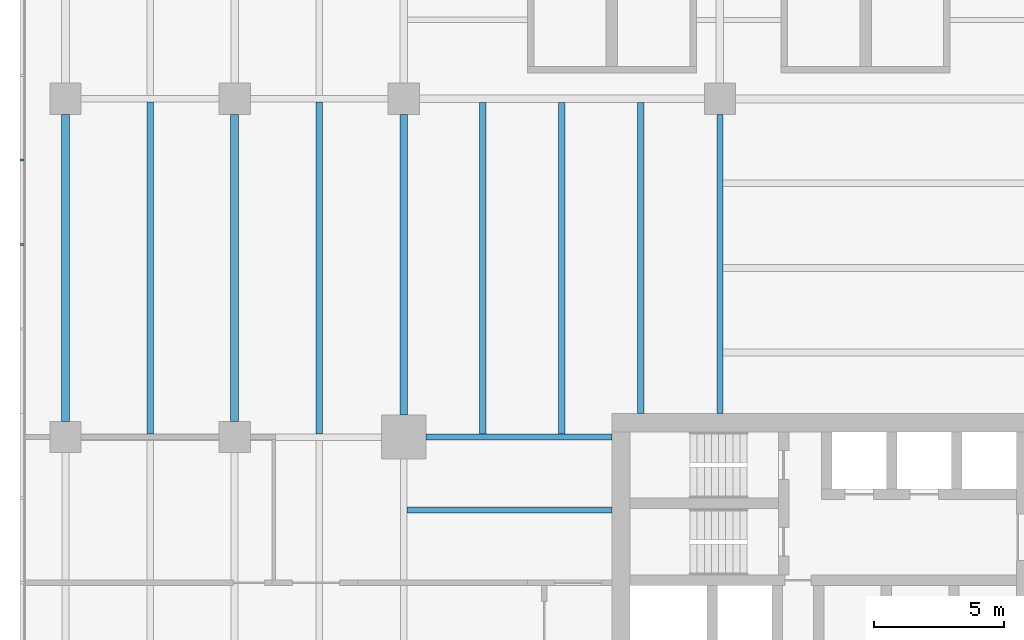
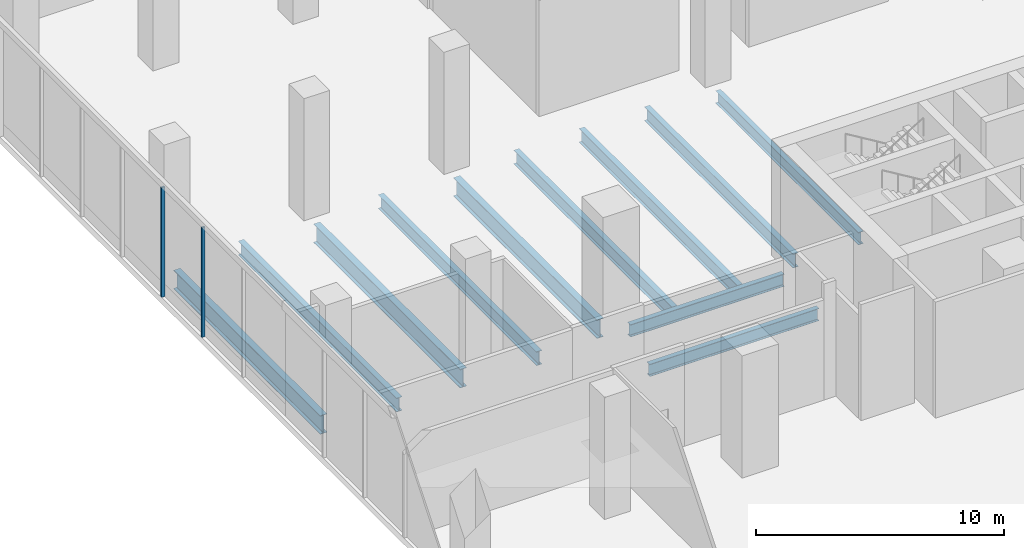
# One storey, part 11 of 41: 11 beams, 2 members, 1 element without a shape of its own.
"""IFC4 building model written with IfcOpenShell, lengths in metres."""

from ifc_helpers import new_model, si_unit, direction, frame, origin, origin_2d, place, context, subcontext, project, spatial, rectangle, i_section, extrude, source, transform, mapped, material, layer, layer_set, material_profile, profile_set, type_object, element, aggregate, save


model = new_model("IFC4")

# Units and contexts
model_context = context("Model", 3, precision=1e-05, world=origin(), true_north=direction((0.0, 1.0)))
body_context = subcontext(model_context, "Body", "Model", "MODEL_VIEW")
ifc_project = project(units=[si_unit("LENGTHUNIT", "METRE"), si_unit("AREAUNIT", "SQUARE_METRE"), si_unit("VOLUMEUNIT", "CUBIC_METRE"), si_unit("PLANEANGLEUNIT", "RADIAN"), si_unit("MASSUNIT", "GRAM", prefix="KILO")], contexts=[model_context])

# Site, building, storey
site_placement = place(None, origin())
site = spatial("IfcSite", under=ifc_project, at=site_placement, CompositionType="ELEMENT")
building_placement = place(site_placement, origin())
building = spatial("IfcBuilding", under=site, at=building_placement, Name="Trellis Farm Tower", CompositionType="ELEMENT")
storey_placement = place(building_placement, frame((0.0, 0.0, 8.0)))
storey = spatial("IfcBuildingStorey", under=building, at=storey_placement, Name="L01", CompositionType="ELEMENT", Elevation=8.0)

# Beams
ifc_material_1 = material(Name="Steel S355", Category="steel")
ifc_material_profile_1 = material_profile(ifc_material_1, i_section(OverallWidth=0.305419921875, OverallDepth=0.91845703125, WebThickness=0.017333984375, FlangeThickness=0.02783203125, FilletRadius=0.01904296875, at=origin_2d()), Name="UB 914x305x253")
ifc_profile_set_1 = profile_set([ifc_material_profile_1], Name="Steel S355")
beam_type_1 = type_object("IfcBeamType", Name="UB 914x305x253", PredefinedType="BEAM", material=ifc_profile_set_1)
shared_shape_1 = source(origin(), body_context, "Body", "SweptSolid", [
    extrude(i_section(OverallWidth=0.305419921875, OverallDepth=0.91845703125, WebThickness=0.017333984375, FlangeThickness=0.02783203125, FilletRadius=0.01904296875, at=origin_2d()), origin(), (0.0, 0.0, 1.0), 11.800048828125),
])
for number, where, z_axis, x_axis, name in (
    (1, (-43.75, 6.199951171875, -0.75927734375), (0.0, 1.0, 0.0), (-1.0, 0.0, 0.0), "Girder"),
    (2, (-37.25, 6.199951171875, -0.75927734375), (0.0, 1.0, 0.0), (-1.0, 0.0, 0.0), "Girder"),
):
    element("IfcBeam", number, at=place(storey_placement, frame(where, z_axis=z_axis, x_axis=x_axis)), inside=storey, type_object=beam_type_1, Name=name, PredefinedType="BEAM", context=body_context, shape_type="MappedRepresentation", body=[
        mapped(shared_shape_1, transform((0.0, 0.0, 0.0))),
    ])
shared_shape_2 = source(origin(), body_context, "Body", "SweptSolid", [
    extrude(i_section(OverallWidth=0.305419921875, OverallDepth=0.91845703125, WebThickness=0.017333984375, FlangeThickness=0.02783203125, FilletRadius=0.01904296875, at=origin_2d()), origin(), (0.0, 0.0, 1.0), 11.550048828125),
])
beam_1_placement = place(storey_placement, frame((-30.75, 6.449951171875, -0.75927734375), z_axis=(0.0, 1.0, 0.0), x_axis=(-1.0, 0.0, 0.0)))
element("IfcBeam", 3, at=beam_1_placement, inside=storey, type_object=beam_type_1, Name="Girder", PredefinedType="BEAM", context=body_context, shape_type="MappedRepresentation", body=[
    mapped(shared_shape_2, transform((0.0, 0.0, 0.0))),
])
ifc_material_profile_2 = material_profile(ifc_material_1, i_section(OverallWidth=0.22900390625, OverallDepth=0.6123046875, WebThickness=0.011962890625, FlangeThickness=0.01953125, FilletRadius=0.0126953125, at=origin_2d()), Name="UB 610x229x125")
ifc_profile_set_2 = profile_set([ifc_material_profile_2], Name="Steel S355")
beam_type_2 = type_object("IfcBeamType", Name="UB 610x229x125", PredefinedType="BEAM", material=ifc_profile_set_2)
shared_shape_3 = source(origin(), body_context, "Body", "SweptSolid", [
    extrude(i_section(OverallWidth=0.22900390625, OverallDepth=0.6123046875, WebThickness=0.011962890625, FlangeThickness=0.01953125, FilletRadius=0.0126953125, at=origin_2d()), origin(), (0.0, 0.0, 1.0), 7.14990234375),
])
beam_2_placement = place(storey_placement, frame((-29.89990234375, 5.60009765625, -0.606201171875), z_axis=(1.0, 0.0, 0.0), x_axis=(0.0, 1.0, 0.0)))
element("IfcBeam", 4, at=beam_2_placement, inside=storey, type_object=beam_type_2, Name="Girder", PredefinedType="BEAM", context=body_context, shape_type="MappedRepresentation", body=[
    mapped(shared_shape_3, transform((0.0, 0.0, 0.0))),
])
shared_shape_4 = source(origin(), body_context, "Body", "SweptSolid", [
    extrude(i_section(OverallWidth=0.22900390625, OverallDepth=0.6123046875, WebThickness=0.011962890625, FlangeThickness=0.01953125, FilletRadius=0.0126953125, at=origin_2d()), origin(), (0.0, 0.0, 1.0), 11.5),
])
beam_3_placement = place(storey_placement, frame((-18.60009765625, 6.5, -0.606201171875), z_axis=(0.0, 1.0, 0.0), x_axis=(-1.0, 0.0, 0.0)))
element("IfcBeam", 5, at=beam_3_placement, inside=storey, type_object=beam_type_2, Name="Girder", PredefinedType="BEAM", context=body_context, shape_type="MappedRepresentation", body=[
    mapped(shared_shape_4, transform((0.0, 0.0, 0.0))),
])
ifc_material_profile_3 = material_profile(ifc_material_1, i_section(OverallWidth=0.253662109375, OverallDepth=0.68359375, WebThickness=0.012451171875, FlangeThickness=0.021728515625, FilletRadius=0.01513671875, at=origin_2d()), Name="UB 686x254x140")
ifc_profile_set_3 = profile_set([ifc_material_profile_3], Name="Steel S355")
beam_type_3 = type_object("IfcBeamType", Name="UB 686x254x140 joist", PredefinedType="JOIST", material=ifc_profile_set_3)
shared_shape_5 = source(origin(), body_context, "Body", "SweptSolid", [
    extrude(i_section(OverallWidth=0.253662109375, OverallDepth=0.68359375, WebThickness=0.012451171875, FlangeThickness=0.021728515625, FilletRadius=0.01513671875, at=origin_2d()), origin(), (0.0, 0.0, 1.0), 12.746337890625),
])
for number, where, z_axis, x_axis, name in (
    (6, (-40.5, 5.726806640625, -0.641845703125), (0.0, 1.0, 0.0), (-1.0, 0.0, 0.0), "Floor beam"),
    (7, (-34.0, 5.726806640625, -0.641845703125), (0.0, 1.0, 0.0), (-1.0, 0.0, 0.0), "Floor beam"),
):
    element("IfcBeam", number, at=place(storey_placement, frame(where, z_axis=z_axis, x_axis=x_axis)), inside=storey, type_object=beam_type_3, Name=name, PredefinedType="JOIST", context=body_context, shape_type="MappedRepresentation", body=[
        mapped(shared_shape_5, transform((0.0, 0.0, 0.0))),
    ])
ifc_material_profile_4 = material_profile(ifc_material_1, i_section(OverallWidth=0.2275390625, OverallDepth=0.6025390625, WebThickness=0.010498046875, FlangeThickness=0.014892578125, FilletRadius=0.0126953125, at=origin_2d()), Name="UB 610x229x101")
ifc_profile_set_4 = profile_set([ifc_material_profile_4], Name="Steel S355")
beam_type_4 = type_object("IfcBeamType", Name="UB 610x229x101 joist", PredefinedType="JOIST", material=ifc_profile_set_4)
shared_shape_6 = source(origin(), body_context, "Body", "SweptSolid", [
    extrude(i_section(OverallWidth=0.2275390625, OverallDepth=0.6025390625, WebThickness=0.010498046875, FlangeThickness=0.014892578125, FilletRadius=0.0126953125, at=origin_2d()), origin(), (0.0, 0.0, 1.0), 7.86669921875),
])
beam_4_placement = place(storey_placement, frame((-30.61669921875, 2.800048828125, -0.601318359375), z_axis=(1.0, 0.0, 0.0), x_axis=(0.0, 1.0, 0.0)))
element("IfcBeam", 8, at=beam_4_placement, inside=storey, type_object=beam_type_4, Name="Floor beam", PredefinedType="JOIST", context=body_context, shape_type="MappedRepresentation", body=[
    mapped(shared_shape_6, transform((0.0, 0.0, 0.0))),
])
shared_shape_7 = source(origin(), body_context, "Body", "SweptSolid", [
    extrude(i_section(OverallWidth=0.253662109375, OverallDepth=0.68359375, WebThickness=0.012451171875, FlangeThickness=0.021728515625, FilletRadius=0.01513671875, at=origin_2d()), origin(), (0.0, 0.0, 1.0), 12.7392578125),
])
for number, where, z_axis, x_axis, name in (
    (9, (-27.71240234375, 5.714599609375, -0.641845703125), (0.0, 1.0, 0.0), (-1.0, 0.0, 0.0), "Floor beam"),
    (10, (-24.675048828125, 5.714599609375, -0.641845703125), (0.0, 1.0, 0.0), (-1.0, 0.0, 0.0), "Floor beam"),
):
    element("IfcBeam", number, at=place(storey_placement, frame(where, z_axis=z_axis, x_axis=x_axis)), inside=storey, type_object=beam_type_3, Name=name, PredefinedType="JOIST", context=body_context, shape_type="MappedRepresentation", body=[
        mapped(shared_shape_7, transform((0.0, 0.0, 0.0))),
    ])
shared_shape_8 = source(origin(), body_context, "Body", "SweptSolid", [
    extrude(i_section(OverallWidth=0.253662109375, OverallDepth=0.68359375, WebThickness=0.012451171875, FlangeThickness=0.021728515625, FilletRadius=0.01513671875, at=origin_2d()), origin(), (0.0, 0.0, 1.0), 11.953857421875),
])
beam_5_placement = place(storey_placement, frame((-21.637451171875, 6.5, -0.641845703125), z_axis=(0.0, 1.0, 0.0), x_axis=(-1.0, 0.0, 0.0)))
element("IfcBeam", 11, at=beam_5_placement, inside=storey, type_object=beam_type_3, Name="Floor beam", PredefinedType="JOIST", context=body_context, shape_type="MappedRepresentation", body=[
    mapped(shared_shape_8, transform((0.0, 0.0, 0.0))),
])

# Curtain wall, members
ifc_material_2 = material(Name="Aluminium and glass curtain wall", Category="aluminium")
ifc_layer = layer(ifc_material_2, 0.201904296875)
ifc_layer_set = layer_set([ifc_layer], Name="SHOPFRONT CURTAIN WALL CW2")
curtain_wall_type = type_object("IfcCurtainWallType", Name="SHOPFRONT CURTAIN WALL CW2", PredefinedType="NOTDEFINED", material=ifc_layer_set)
curtain_wall_placement = place(storey_placement, origin())
curtain_wall = element("IfcCurtainWall", 12, at=curtain_wall_placement, inside=storey, type_object=curtain_wall_type, Name="CW2 005", PredefinedType="NOTDEFINED")
ifc_material_3 = material(Name="Aluminium extrusion 6063-T6", Category="aluminium")
ifc_material_profile_5 = material_profile(ifc_material_3, rectangle(XDim=0.080078125, YDim=0.14990234375, at=origin_2d()), Name="MULLION 80x150")
ifc_profile_set_5 = profile_set([ifc_material_profile_5], Name="Aluminium extrusion 6063-T6")
member_type = type_object("IfcMemberType", Name="CW2 MULLION 80x150", PredefinedType="MULLION", material=ifc_profile_set_5)
shared_shape_9 = source(origin(), body_context, "Body", "SweptSolid", [
    extrude(rectangle(XDim=0.080078125, YDim=0.14990234375, at=origin_2d()), origin(), (0.0, 0.0, 1.0), 5.39990234375),
])
member_1_placement = place(storey_placement, frame((-45.425048828125, 16.25, 0.0), z_axis=(0.0, 0.0, 1.0), x_axis=(0.0, -1.0, 0.0)))
member_1 = element("IfcMember", 13, at=member_1_placement, type_object=member_type, Name="MU2 005-08", PredefinedType="MULLION", context=body_context, shape_type="MappedRepresentation", body=[
    mapped(shared_shape_9, transform((0.0, 0.0, 0.0))),
])
member_2_placement = place(storey_placement, frame((-45.425048828125, 13.0, 0.0), z_axis=(0.0, 0.0, 1.0), x_axis=(0.0, -1.0, 0.0)))
member_2 = element("IfcMember", 14, at=member_2_placement, type_object=member_type, Name="MU2 005-09", PredefinedType="MULLION", context=body_context, shape_type="MappedRepresentation", body=[
    mapped(shared_shape_9, transform((0.0, 0.0, 0.0))),
])
aggregate(curtain_wall, [member_1, member_2])

save(model, "model.ifc")
